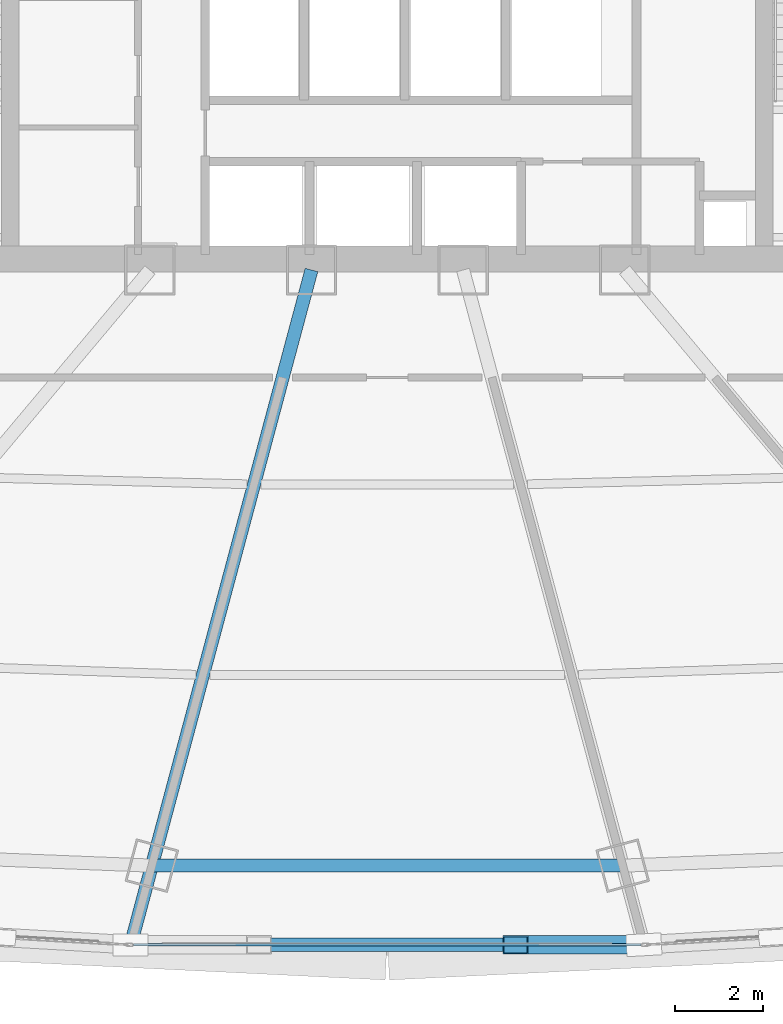
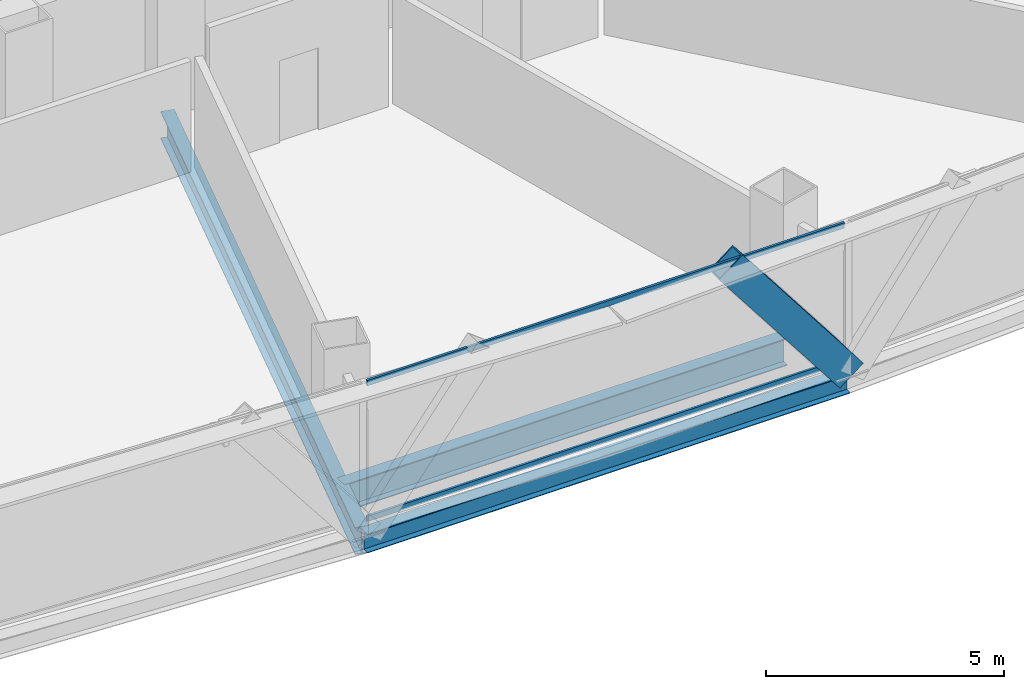
# One storey, part 9 of 39: 3 beams, 3 members, 1 element without a shape of its own.
"""IFC4 building model written with IfcOpenShell, lengths in metres."""

from ifc_helpers import new_model, si_unit, direction, frame, origin, origin_2d, place, context, subcontext, project, spatial, hollow_rectangle, i_section, extrude, source, transform, mapped, material, layer, layer_set, material_profile, profile_set, type_object, element, aggregate, save


model = new_model("IFC4")

# Units and contexts
model_context = context("Model", 3, precision=1e-05, world=origin(), true_north=direction((0.0, 1.0)))
body_context = subcontext(model_context, "Body", "Model", "MODEL_VIEW")
ifc_project = project(units=[si_unit("LENGTHUNIT", "METRE"), si_unit("AREAUNIT", "SQUARE_METRE"), si_unit("VOLUMEUNIT", "CUBIC_METRE"), si_unit("PLANEANGLEUNIT", "RADIAN"), si_unit("MASSUNIT", "GRAM", prefix="KILO"), si_unit("THERMODYNAMICTEMPERATUREUNIT", "KELVIN"), si_unit("POWERUNIT", "WATT")], contexts=[model_context])

# Site, building, storey
site_placement = place(None, origin())
site = spatial("IfcSite", under=ifc_project, at=site_placement, CompositionType="ELEMENT")
building_placement = place(site_placement, origin())
building = spatial("IfcBuilding", under=site, at=building_placement, Name="Yunzhuo Pagoda Commons", CompositionType="ELEMENT")
storey_placement = place(building_placement, frame((0.0, 0.0, 96.3798828125)))
storey = spatial("IfcBuildingStorey", under=building, at=storey_placement, Name="L24", CompositionType="ELEMENT", Elevation=96.3798828125)

# Beams
ifc_material_1 = material(Name="Structural steel Q355B", Category="steel")
ifc_material_profile_1 = material_profile(ifc_material_1, i_section(OverallWidth=0.300048828125, OverallDepth=0.699951171875, WebThickness=0.012939453125, FlangeThickness=0.02392578125, at=origin_2d()), Name="Structural steel Q355B")
ifc_profile_set_1 = profile_set([ifc_material_profile_1], Name="Structural steel Q355B")
beam_type_1 = type_object("IfcBeamType", Name="B-RG1 Beam HN 700x300x13x24", PredefinedType="BEAM", material=ifc_profile_set_1)
shared_shape_1 = source(origin(), body_context, "Body", "SweptSolid", [
    extrude(i_section(OverallWidth=0.300048828125, OverallDepth=0.699951171875, WebThickness=0.012939453125, FlangeThickness=0.02392578125, at=origin_2d()), origin(), (0.0, 0.0, 1.0), 10.73486328125),
])
beam_1_placement = place(storey_placement, frame((42.632568359375, 13.66845703125, -0.609619140625), z_axis=(1.0, 0.0, 0.0), x_axis=(0.0, 1.0, 0.0)))
element("IfcBeam", 1, at=beam_1_placement, inside=storey, type_object=beam_type_1, Name="L24 column-ring beam 2", PredefinedType="BEAM", context=body_context, shape_type="MappedRepresentation", body=[
    mapped(shared_shape_1, transform((0.0, 0.0, 0.0), scale=1.0)),
])
shared_shape_2 = source(origin(), body_context, "Body", "SweptSolid", [
    extrude(i_section(OverallWidth=0.300048828125, OverallDepth=0.699951171875, WebThickness=0.012939453125, FlangeThickness=0.02392578125, at=origin_2d()), origin(), (0.0, 0.0, 1.0), 15.773681640625),
])
beam_2_placement = place(storey_placement, frame((42.189208984375, 12.013916015625, -0.609619140625), z_axis=(0.258834854281, 0.965921590094, 0.0), x_axis=(-0.965921590094, 0.258834854281, 0.0)))
element("IfcBeam", 2, at=beam_2_placement, inside=storey, type_object=beam_type_1, Name="L24 radial floor girder F1C2", PredefinedType="BEAM", context=body_context, shape_type="MappedRepresentation", body=[
    mapped(shared_shape_2, transform((0.0, 0.0, 0.0), scale=1.0)),
])
ifc_material_profile_2 = material_profile(ifc_material_1, i_section(OverallWidth=0.300048828125, OverallDepth=0.488037109375, WebThickness=0.010986328125, FlangeThickness=0.01806640625, at=origin_2d()), Name="Structural steel Q355B")
ifc_profile_set_2 = profile_set([ifc_material_profile_2], Name="Structural steel Q355B")
beam_type_2 = type_object("IfcBeamType", Name="B-SP1 Beam HM 488x300x11x18", PredefinedType="BEAM", material=ifc_profile_set_2)
shared_shape_3 = source(origin(), body_context, "Body", "SweptSolid", [
    extrude(i_section(OverallWidth=0.300048828125, OverallDepth=0.488037109375, WebThickness=0.010986328125, FlangeThickness=0.01806640625, at=origin_2d()), origin(), (0.0, 0.0, 1.0), 11.70166015625),
])
beam_3_placement = place(storey_placement, frame((42.149169921875, 11.8642578125, -0.50390625), z_axis=(1.0, 0.0, 0.0), x_axis=(0.0, 1.0, 0.0)))
element("IfcBeam", 3, at=beam_3_placement, inside=storey, type_object=beam_type_2, Name="L24 facade edge spandrel beam F1.2", PredefinedType="BEAM", context=body_context, shape_type="MappedRepresentation", body=[
    mapped(shared_shape_3, transform((0.0, 0.0, 0.0), scale=1.0)),
])

# Member
ifc_material_2 = material(Name="Structural steel Q420B", Category="steel")
ifc_material_profile_3 = material_profile(ifc_material_2, hollow_rectangle(XDim=0.419921875, YDim=0.719970703125, WallThickness=0.028076171875, at=origin_2d()), Name="Structural steel Q420B")
ifc_profile_set_3 = profile_set([ifc_material_profile_3], Name="Structural steel Q420B")
member_type_1 = type_object("IfcMemberType", Name="M-DL1 Brace BOX 720x420x28", PredefinedType="BRACE", material=ifc_profile_set_3)
shared_shape_4 = source(origin(), body_context, "Body", "SweptSolid", [
    extrude(hollow_rectangle(XDim=0.419921875, YDim=0.719970703125, WallThickness=0.028076171875, at=origin_2d()), origin(), (0.0, 0.0, 1.0), 4.795654296875),
])
member_1_placement = place(storey_placement, frame((53.850830078125, 11.8642578125, -0.259765625), z_axis=(-0.610052689572, 0.0, 0.792360849579), x_axis=(0.0, -1.0, 0.0)))
element("IfcMember", 4, at=member_1_placement, inside=storey, type_object=member_type_1, Name="L24 facade diamond brace F1.2R", PredefinedType="BRACE", context=body_context, shape_type="MappedRepresentation", body=[
    mapped(shared_shape_4, transform((0.0, 0.0, 0.0), scale=1.0)),
])

# Curtain wall, members
ifc_material_3 = material(Name="Anodized aluminium 6063-T6", Category="aluminium")
ifc_layer = layer(ifc_material_3, 0.1650390625)
ifc_layer_set = layer_set([ifc_layer], Name="Anodized aluminium 6063-T6")
curtain_wall_type = type_object("IfcCurtainWallType", Name="CW-LOW Low-Zone Ribbon Curtain Wall", PredefinedType="NOTDEFINED", material=ifc_layer_set)
curtain_wall_placement = place(storey_placement, origin())
curtain_wall = element("IfcCurtainWall", 5, at=curtain_wall_placement, inside=storey, type_object=curtain_wall_type, Name="L24 curtain wall CW-L24-F1B3", PredefinedType="NOTDEFINED")
ifc_material_profile_4 = material_profile(ifc_material_3, hollow_rectangle(XDim=0.06005859375, YDim=0.139892578125, WallThickness=0.00341796875, at=origin_2d()), Name="Anodized aluminium 6063-T6")
ifc_profile_set_4 = profile_set([ifc_material_profile_4], Name="Anodized aluminium 6063-T6")
member_type_2 = type_object("IfcMemberType", Name="CW-LOW-T Transom RHS 140x60x3.5", PredefinedType="USERDEFINED", material=ifc_profile_set_4)
shared_shape_5 = source(origin(), body_context, "Body", "SweptSolid", [
    extrude(hollow_rectangle(XDim=0.06005859375, YDim=0.139892578125, WallThickness=0.00341796875, at=origin_2d()), origin(), (0.0, 0.0, 1.0), 11.57177734375),
])
member_2_placement = place(storey_placement, frame((42.214111328125, 11.8642578125, 0.030029296875), z_axis=(1.0, 0.0, 0.0), x_axis=(0.0, 1.0, 0.0)))
member_2 = element("IfcMember", 6, at=member_2_placement, type_object=member_type_2, Name="CW transom 1.1", ObjectType="TRANSOM", PredefinedType="USERDEFINED", context=body_context, shape_type="MappedRepresentation", body=[
    mapped(shared_shape_5, transform((0.0, 0.0, 0.0), scale=1.0)),
])
member_3_placement = place(storey_placement, frame((42.214111328125, 11.8642578125, 3.510009765625), z_axis=(1.0, 0.0, 0.0), x_axis=(0.0, 1.0, 0.0)))
member_3 = element("IfcMember", 7, at=member_3_placement, type_object=member_type_2, Name="CW transom 1.2", ObjectType="TRANSOM", PredefinedType="USERDEFINED", context=body_context, shape_type="MappedRepresentation", body=[
    mapped(shared_shape_5, transform((0.0, 0.0, 0.0), scale=1.0)),
])
aggregate(curtain_wall, [member_2, member_3])

save(model, "model.ifc")
